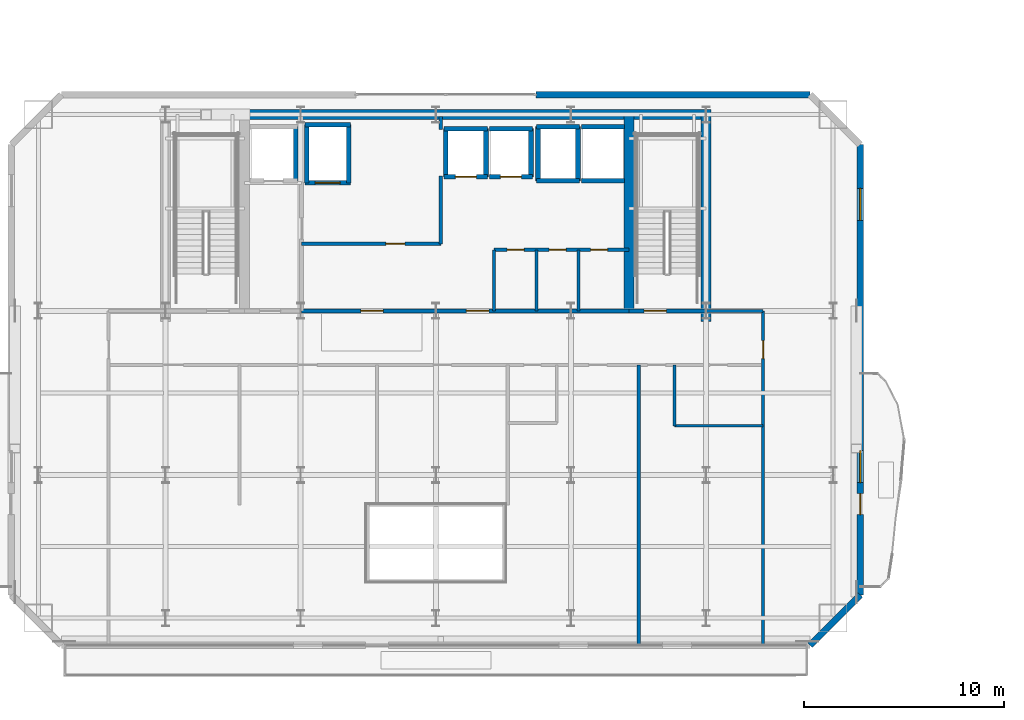
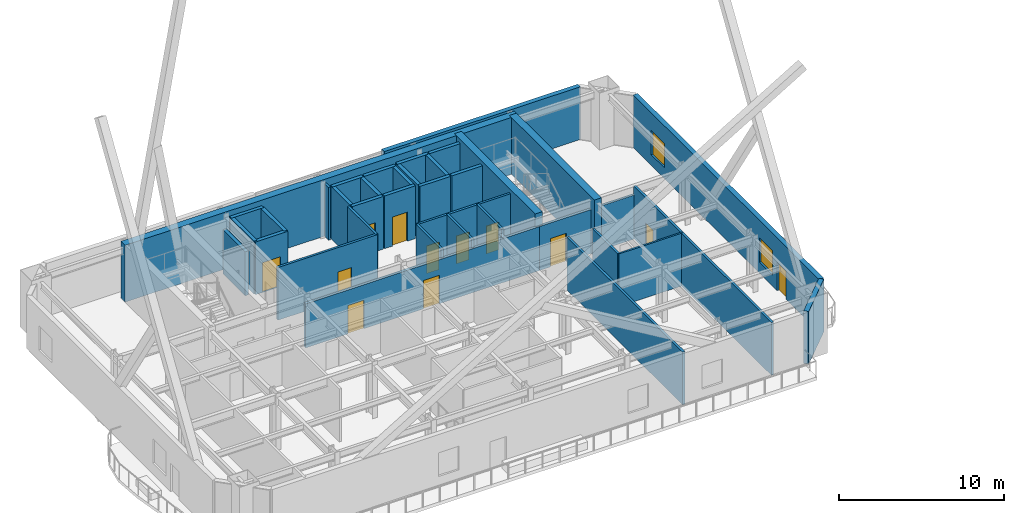
# One storey, part 13 of 22: 38 walls, 12 doors, 2 windows, 14 openings.
"""IFC4 building model written with IfcOpenShell, lengths in metres."""

from ifc_helpers import new_model, si_unit, direction, frame, frame_2d, origin, place, context, subcontext, project, spatial, rectangle, extrude, material, layer, layer_set, type_object, element, fill, save


model = new_model("IFC4")

# Units and contexts
model_context = context("Model", 3, precision=1e-05, world=origin(), true_north=direction((0.0, 1.0)))
body_context = subcontext(model_context, "Body", "Model", "MODEL_VIEW")
ifc_project = project(units=[si_unit("LENGTHUNIT", "METRE"), si_unit("AREAUNIT", "SQUARE_METRE"), si_unit("VOLUMEUNIT", "CUBIC_METRE"), si_unit("PLANEANGLEUNIT", "RADIAN"), si_unit("MASSUNIT", "GRAM", prefix="KILO")], contexts=[model_context])

# Site, building, storey
site_placement = place(None, origin())
site = spatial("IfcSite", under=ifc_project, at=site_placement, CompositionType="ELEMENT")
building_placement = place(site_placement, origin())
building = spatial("IfcBuilding", under=site, at=building_placement, Name="Haevon Station Towers", CompositionType="ELEMENT")
storey_placement = place(building_placement, frame((0.0, 0.0, 133.800048828125)))
storey = spatial("IfcBuildingStorey", under=building, at=storey_placement, Name="L36", CompositionType="ELEMENT", Elevation=133.800048828125)

# Wall, opening, door
ifc_material_1 = material(Name="Gypsum board on steel stud", Category="steel")
ifc_layer_1 = layer(ifc_material_1, 0.199951171875)
ifc_layer_set_1 = layer_set([ifc_layer_1], Name="Gypsum board on steel stud")
wall_type_1 = type_object("IfcWallType", Name="WL-COR200", PredefinedType="PARTITIONING", material=ifc_layer_set_1)
wall_1_placement = place(storey_placement, frame((47.14990234375, 38.199951171875, 0.0), z_axis=(0.0, 0.0, 1.0), x_axis=(1.0, 0.0, 0.0)))
wall_1 = element("IfcWall", 1, at=wall_1_placement, inside=storey, type_object=wall_type_1, Name="WL-ST-ST2-L36", PredefinedType="PARTITIONING", context=body_context, shape_type="SweptSolid", body=[
    extrude(rectangle(XDim=3.85009765625, YDim=0.199951171875, at=frame_2d((1.925048828125, 0.0))), origin(), (0.0, 0.0, 1.0), 3.25),
])
opening_1_placement = place(wall_1_placement, frame((0.75, 0.0, 0.0)))
opening_1 = element("IfcOpeningElement", 2, at=opening_1_placement, cuts=wall_1, Name="Opening DR-ST-ST2-L36", PredefinedType="OPENING", context=body_context, shape_type="SweptSolid", body=[
    extrude(rectangle(XDim=1.1201171875, YDim=2.10009765625, at=frame_2d((0.56005859375, 1.050048828125))), frame((0.0, 0.10986328125, 0.0), z_axis=(0.0, -1.0, 0.0), x_axis=(1.0, 0.0, 0.0)), (0.0, 0.0, 1.0), 0.219970703125),
])
ifc_material_2 = material(Name="Engineered oak timber", Category="wood")
door_type_1 = type_object("IfcDoorType", Name="DR-ST-1120", OperationType="NOTDEFINED", PredefinedType="DOOR", material=ifc_material_2)
door_1_placement = place(opening_1_placement, origin())
door_1 = element("IfcDoor", 3, at=door_1_placement, inside=storey, type_object=door_type_1, Name="L36 Escape Stair ST2 Fire Door", OperationType="SINGLE_SWING_RIGHT", OverallHeight=2.10009765625, OverallWidth=1.1201171875, PredefinedType="DOOR", context=body_context, shape_type="SweptSolid", body=[
    extrude(rectangle(XDim=1.1201171875, YDim=2.10009765625, at=frame_2d((0.56005859375, 1.050048828125))), frame((0.0, 0.02490234375, 0.0), z_axis=(0.0, -1.0, 0.0), x_axis=(1.0, 0.0, 0.0)), (0.0, 0.0, 1.0), 0.050048828125),
])
fill(opening_1, door_1)

# Wall, openings, doors
wall_2_placement = place(storey_placement, frame((30.800048828125, 38.199951171875, 0.0), z_axis=(0.0, 0.0, 1.0), x_axis=(1.0, 0.0, 0.0)))
wall_2 = element("IfcWall", 4, at=wall_2_placement, inside=storey, type_object=wall_type_1, Name="WL-T1CLB-L36", PredefinedType="PARTITIONING", context=body_context, shape_type="SweptSolid", body=[
    extrude(rectangle(XDim=16.349853515625, YDim=0.199951171875, at=frame_2d((8.1748046875, 0.0))), origin(), (0.0, 0.0, 1.0), 3.25),
])
opening_2_placement = place(wall_2_placement, frame((2.949951171875, 0.0, 0.0)))
opening_2 = element("IfcOpeningElement", 5, at=opening_2_placement, cuts=wall_2, Name="Opening DR-T1CLB-L36-1", PredefinedType="OPENING", context=body_context, shape_type="SweptSolid", body=[
    extrude(rectangle(XDim=1.1201171875, YDim=2.10009765625, at=frame_2d((0.56005859375, 1.050048828125))), frame((0.0, 0.10986328125, 0.0), z_axis=(0.0, -1.0, 0.0), x_axis=(1.0, 0.0, 0.0)), (0.0, 0.0, 1.0), 0.219970703125),
])
opening_3_placement = place(wall_2_placement, frame((8.22998046875, 0.0, 0.0)))
opening_3 = element("IfcOpeningElement", 6, at=opening_3_placement, cuts=wall_2, Name="Opening DR-T1CLB-L36-2", PredefinedType="OPENING", context=body_context, shape_type="SweptSolid", body=[
    extrude(rectangle(XDim=1.1201171875, YDim=2.10009765625, at=frame_2d((0.56005859375, 1.050048828125))), frame((0.0, 0.10986328125, 0.0), z_axis=(0.0, -1.0, 0.0), x_axis=(1.0, 0.0, 0.0)), (0.0, 0.0, 1.0), 0.219970703125),
])
door_2_placement = place(opening_2_placement, origin())
door_2 = element("IfcDoor", 7, at=door_2_placement, inside=storey, type_object=door_type_1, Name="L36 Tower 1 Core Lift Lobby Door 1", OperationType="SINGLE_SWING_LEFT", OverallHeight=2.10009765625, OverallWidth=1.1201171875, PredefinedType="DOOR", context=body_context, shape_type="SweptSolid", body=[
    extrude(rectangle(XDim=1.1201171875, YDim=2.10009765625, at=frame_2d((0.56005859375, 1.050048828125))), frame((0.0, 0.02490234375, 0.0), z_axis=(0.0, -1.0, 0.0), x_axis=(1.0, 0.0, 0.0)), (0.0, 0.0, 1.0), 0.050048828125),
])
fill(opening_2, door_2)
door_3_placement = place(opening_3_placement, origin())
door_3 = element("IfcDoor", 8, at=door_3_placement, inside=storey, type_object=door_type_1, Name="L36 Tower 1 Core Lift Lobby Door 2", OperationType="SINGLE_SWING_RIGHT", OverallHeight=2.10009765625, OverallWidth=1.1201171875, PredefinedType="DOOR", context=body_context, shape_type="SweptSolid", body=[
    extrude(rectangle(XDim=1.1201171875, YDim=2.10009765625, at=frame_2d((0.56005859375, 1.050048828125))), frame((0.0, 0.02490234375, 0.0), z_axis=(0.0, -1.0, 0.0), x_axis=(1.0, 0.0, 0.0)), (0.0, 0.0, 1.0), 0.050048828125),
])
fill(opening_3, door_3)

# Walls
ifc_material_3 = material(Name="Concrete C60/75", Category="concrete")
ifc_layer_2 = layer(ifc_material_3, 0.5)
ifc_layer_set_2 = layer_set([ifc_layer_2], Name="Concrete C60/75")
wall_type_2 = type_object("IfcWallType", Name="WL-CR500", PredefinedType="SHEAR", material=ifc_layer_set_2)
wall_3_placement = place(storey_placement, frame((23.75, 48.0, 0.0), z_axis=(0.0, 0.0, 1.0), x_axis=(1.0, 0.0, 0.0)))
element("IfcWall", 9, at=wall_3_placement, inside=storey, type_object=wall_type_2, Name="WL-T1CR-L36-N", PredefinedType="SHEAR", context=body_context, shape_type="SweptSolid", body=[
    extrude(rectangle(XDim=27.5, YDim=0.5, at=frame_2d((13.75, 0.0))), origin(), (0.0, 0.0, 1.0), 4.199951171875),
])
wall_4_placement = place(storey_placement, frame((51.0, 37.679931640625, 0.0), z_axis=(0.0, 0.0, 1.0), x_axis=(0.0, 1.0, 0.0)))
element("IfcWall", 10, at=wall_4_placement, inside=storey, type_object=wall_type_2, Name="WL-T1CR-L36-E", PredefinedType="SHEAR", context=body_context, shape_type="SweptSolid", body=[
    extrude(rectangle(XDim=10.320068359375, YDim=0.5, at=frame_2d((5.16015625, 0.0))), origin(), (0.0, 0.0, 1.0), 4.199951171875),
])
wall_5_placement = place(storey_placement, frame((47.14990234375, 38.199951171875, 0.0), z_axis=(0.0, 0.0, 1.0), x_axis=(0.0, 1.0, 0.0)))
element("IfcWall", 11, at=wall_5_placement, inside=storey, type_object=wall_type_2, Name="WL-T1CR-L36-M2", PredefinedType="SHEAR", context=body_context, shape_type="SweptSolid", body=[
    extrude(rectangle(XDim=9.800048828125, YDim=0.5, at=frame_2d((4.89990234375, 0.0))), origin(), (0.0, 0.0, 1.0), 4.199951171875),
])
ifc_material_4 = material(Name="Precast concrete C45/55", Category="concrete")
ifc_layer_3 = layer(ifc_material_4, 0.320068359375)
ifc_layer_set_3 = layer_set([ifc_layer_3], Name="Precast concrete C45/55")
wall_type_3 = type_object("IfcWallType", Name="WL-EXT-PIER320", PredefinedType="SOLIDWALL", material=ifc_layer_set_3)
wall_6_placement = place(storey_placement, frame((42.5, 49.0, 0.0), z_axis=(0.0, 0.0, 1.0), x_axis=(1.0, 0.0, 0.0)))
element("IfcWall", 12, at=wall_6_placement, inside=storey, type_object=wall_type_3, Name="WL-T1-L36-N2", PredefinedType="SOLIDWALL", context=body_context, shape_type="SweptSolid", body=[
    extrude(rectangle(XDim=13.699951171875, YDim=0.320068359375, at=frame_2d((6.85009765625, 0.0))), origin(), (0.0, 0.0, 1.0), 3.89990234375),
])

# Wall, openings, door, windows
wall_7_placement = place(storey_placement, frame((58.699951171875, 46.5, 0.0), z_axis=(0.0, 0.0, 1.0), x_axis=(0.0, -1.0, 0.0)))
wall_7 = element("IfcWall", 13, at=wall_7_placement, inside=storey, type_object=wall_type_3, Name="WL-T1-L36-E", PredefinedType="SOLIDWALL", context=body_context, shape_type="SweptSolid", body=[
    extrude(rectangle(XDim=22.5, YDim=0.320068359375, at=frame_2d((11.25, 0.0))), origin(), (0.0, 0.0, 1.0), 3.89990234375),
])
opening_4_placement = place(wall_7_placement, frame((17.425048828125, 0.0, 0.0)))
opening_4 = element("IfcOpeningElement", 14, at=opening_4_placement, cuts=wall_7, Name="Opening DR-T1-SCAL-L36-E", PredefinedType="OPENING", context=body_context, shape_type="SweptSolid", body=[
    extrude(rectangle(XDim=1.050048828125, YDim=2.10009765625, at=frame_2d((0.52490234375, 1.050048828125))), frame((0.0, 0.169921875, 0.0), z_axis=(0.0, -1.0, 0.0), x_axis=(1.0, 0.0, 0.0)), (0.0, 0.0, 1.0), 0.340087890625),
])
opening_5_placement = place(wall_7_placement, frame((2.1787109375, 0.0, 0.800048828125)))
opening_5 = element("IfcOpeningElement", 15, at=opening_5_placement, cuts=wall_7, Name="Opening WN-END160", PredefinedType="OPENING", context=body_context, shape_type="SweptSolid", body=[
    extrude(rectangle(XDim=1.60009765625, YDim=1.800048828125, at=frame_2d((0.800048828125, 0.89990234375))), frame((0.0, 0.169921875, 0.0), z_axis=(0.0, -1.0, 0.0), x_axis=(1.0, 0.0, 0.0)), (0.0, 0.0, 1.0), 0.340087890625),
])
opening_6_placement = place(wall_7_placement, frame((15.27490234375, 0.0, 0.800048828125)))
opening_6 = element("IfcOpeningElement", 16, at=opening_6_placement, cuts=wall_7, Name="Opening WN-END160", PredefinedType="OPENING", context=body_context, shape_type="SweptSolid", body=[
    extrude(rectangle(XDim=1.60009765625, YDim=1.800048828125, at=frame_2d((0.800048828125, 0.89990234375))), frame((0.0, 0.169921875, 0.0), z_axis=(0.0, -1.0, 0.0), x_axis=(1.0, 0.0, 0.0)), (0.0, 0.0, 1.0), 0.340087890625),
])
ifc_material_5 = material(Name="Thermally broken anodised aluminium and laminated safety glass", Category="aluminium")
door_type_2 = type_object("IfcDoorType", Name="DR-BALC-1050", OperationType="NOTDEFINED", PredefinedType="DOOR", material=ifc_material_5)
door_4_placement = place(opening_4_placement, origin())
door_4 = element("IfcDoor", 17, at=door_4_placement, inside=storey, type_object=door_type_2, Name="Tower 1 L36 East Scalloped Balcony Door", OperationType="SINGLE_SWING_RIGHT", OverallHeight=2.10009765625, OverallWidth=1.050048828125, PredefinedType="DOOR", context=body_context, shape_type="SweptSolid", body=[
    extrude(rectangle(XDim=1.050048828125, YDim=2.10009765625, at=frame_2d((0.52490234375, 1.050048828125))), frame((0.0, 0.02490234375, 0.0), z_axis=(0.0, -1.0, 0.0), x_axis=(1.0, 0.0, 0.0)), (0.0, 0.0, 1.0), 0.050048828125),
])
fill(opening_4, door_4)
ifc_material_6 = material(Name="Low-E triple glazing in thermally broken aluminium", Category="aluminium")
window_type = type_object("IfcWindowType", Name="WN-END160", PartitioningType="SINGLE_PANEL", PredefinedType="WINDOW", material=ifc_material_6)
window_1_placement = place(opening_5_placement, origin())
window_1 = element("IfcWindow", 18, at=window_1_placement, inside=storey, type_object=window_type, Name="WN-T1-L36-E01", OverallHeight=1.800048828125, OverallWidth=1.60009765625, PartitioningType="SINGLE_PANEL", PredefinedType="WINDOW", context=body_context, shape_type="SweptSolid", body=[
    extrude(rectangle(XDim=1.60009765625, YDim=1.800048828125, at=frame_2d((0.800048828125, 0.89990234375))), frame((0.0, 0.030029296875, 0.0), z_axis=(0.0, -1.0, 0.0), x_axis=(1.0, 0.0, 0.0)), (0.0, 0.0, 1.0), 0.06005859375),
])
fill(opening_5, window_1)
window_2_placement = place(opening_6_placement, origin())
window_2 = element("IfcWindow", 19, at=window_2_placement, inside=storey, type_object=window_type, Name="WN-T1-L36-E02", OverallHeight=1.800048828125, OverallWidth=1.60009765625, PartitioningType="SINGLE_PANEL", PredefinedType="WINDOW", context=body_context, shape_type="SweptSolid", body=[
    extrude(rectangle(XDim=1.60009765625, YDim=1.800048828125, at=frame_2d((0.800048828125, 0.89990234375))), frame((0.0, 0.030029296875, 0.0), z_axis=(0.0, -1.0, 0.0), x_axis=(1.0, 0.0, 0.0)), (0.0, 0.0, 1.0), 0.06005859375),
])
fill(opening_6, window_2)

# Walls
wall_8_placement = place(storey_placement, frame((58.699951171875, 24.0, 0.0), z_axis=(0.0, 0.0, 1.0), x_axis=(-0.707106781187, -0.707106781187, 0.0)))
element("IfcWall", 20, at=wall_8_placement, inside=storey, type_object=wall_type_3, Name="WL-T1-L36-SEC", PredefinedType="SOLIDWALL", context=body_context, shape_type="SweptSolid", body=[
    extrude(rectangle(XDim=3.53564453125, YDim=0.320068359375, at=frame_2d((1.767822265625, 0.0))), origin(), (0.0, 0.0, 1.0), 3.89990234375),
])
ifc_layer_4 = layer(ifc_material_1, 0.125)
ifc_layer_set_4 = layer_set([ifc_layer_4], Name="Gypsum board on steel stud")
wall_type_4 = type_object("IfcWallType", Name="WL-PRT125", PredefinedType="PARTITIONING", material=ifc_layer_set_4)
wall_9_placement = place(storey_placement, frame((49.4169921875, 32.449951171875, 0.0), z_axis=(0.0, 0.0, 1.0), x_axis=(1.0, 0.0, 0.0)))
element("IfcWall", 21, at=wall_9_placement, inside=storey, type_object=wall_type_4, Name="WL-T1PT-L36-17", PredefinedType="PARTITIONING", context=body_context, shape_type="SweptSolid", body=[
    extrude(rectangle(XDim=4.43310546875, YDim=0.125, at=frame_2d((2.216552734375, 0.0))), origin(), (0.0, 0.0, 1.0), 3.89990234375),
])
ifc_layer_5 = layer(ifc_material_1, 0.139892578125)
ifc_layer_set_5 = layer_set([ifc_layer_5], Name="Gypsum board on steel stud")
wall_type_5 = type_object("IfcWallType", Name="WL-PRT140", PredefinedType="PARTITIONING", material=ifc_layer_set_5)
wall_10_placement = place(storey_placement, frame((49.4169921875, 32.449951171875, 0.0), z_axis=(0.0, 0.0, 1.0), x_axis=(0.0, 1.0, 0.0)))
element("IfcWall", 22, at=wall_10_placement, inside=storey, type_object=wall_type_5, Name="WL-T1PT-L36-18", PredefinedType="PARTITIONING", context=body_context, shape_type="SweptSolid", body=[
    extrude(rectangle(XDim=3.050048828125, YDim=0.139892578125, at=frame_2d((1.52490234375, 0.0))), origin(), (0.0, 0.0, 1.0), 3.89990234375),
])

# Wall, opening, door
ifc_layer_6 = layer(ifc_material_1, 0.159912109375)
ifc_layer_set_6 = layer_set([ifc_layer_6], Name="Gypsum board on steel stud")
wall_type_6 = type_object("IfcWallType", Name="WL-PRT160", PredefinedType="PARTITIONING", material=ifc_layer_set_6)
wall_11_placement = place(storey_placement, frame((30.800048828125, 41.550048828125, 0.0), z_axis=(0.0, 0.0, 1.0), x_axis=(1.0, 0.0, 0.0)))
wall_11 = element("IfcWall", 23, at=wall_11_placement, inside=storey, type_object=wall_type_6, Name="WL-T1CW-L36-01", PredefinedType="PARTITIONING", context=body_context, shape_type="SweptSolid", body=[
    extrude(rectangle(XDim=6.949951171875, YDim=0.159912109375, at=frame_2d((3.47509765625, 0.0))), origin(), (0.0, 0.0, 1.0), 3.89990234375),
])
opening_7_placement = place(wall_11_placement, frame((4.199951171875, 0.0, 0.0)))
opening_7 = element("IfcOpeningElement", 24, at=opening_7_placement, cuts=wall_11, Name="Opening DR-WL-T1CW-L36-01-1", PredefinedType="OPENING", context=body_context, shape_type="SweptSolid", body=[
    extrude(rectangle(XDim=0.949951171875, YDim=2.10009765625, at=frame_2d((0.47509765625, 1.050048828125))), frame((0.0, 0.08984375, 0.0), z_axis=(0.0, -1.0, 0.0), x_axis=(1.0, 0.0, 0.0)), (0.0, 0.0, 1.0), 0.179931640625),
])
door_type_3 = type_object("IfcDoorType", Name="DR-FD60-950", OperationType="NOTDEFINED", PredefinedType="DOOR", material=ifc_material_2)
door_5_placement = place(opening_7_placement, origin())
door_5 = element("IfcDoor", 25, at=door_5_placement, inside=storey, type_object=door_type_3, Name="L36 Tower 1 Core Room Door 1-1", OperationType="SINGLE_SWING_RIGHT", OverallHeight=2.10009765625, OverallWidth=0.949951171875, PredefinedType="DOOR", context=body_context, shape_type="SweptSolid", body=[
    extrude(rectangle(XDim=0.949951171875, YDim=2.10009765625, at=frame_2d((0.47509765625, 1.050048828125))), frame((0.0, 0.02490234375, 0.0), z_axis=(0.0, -1.0, 0.0), x_axis=(1.0, 0.0, 0.0)), (0.0, 0.0, 1.0), 0.050048828125),
])
fill(opening_7, door_5)

# Walls
wall_12_placement = place(storey_placement, frame((37.75, 41.550048828125, 0.0), z_axis=(0.0, 0.0, 1.0), x_axis=(0.0, 1.0, 0.0)))
element("IfcWall", 26, at=wall_12_placement, inside=storey, type_object=wall_type_6, Name="WL-T1CW-L36-02", PredefinedType="PARTITIONING", context=body_context, shape_type="SweptSolid", body=[
    extrude(rectangle(XDim=3.39990234375, YDim=0.159912109375, at=frame_2d((1.699951171875, 0.0))), origin(), (0.0, 0.0, 1.0), 3.89990234375),
])
wall_13_placement = place(storey_placement, frame((37.75, 47.25, 0.0), z_axis=(0.0, 0.0, 1.0), x_axis=(0.0, 1.0, 0.0)))
element("IfcWall", 27, at=wall_13_placement, inside=storey, type_object=wall_type_6, Name="WL-T1CW-L36-03", PredefinedType="PARTITIONING", context=body_context, shape_type="SweptSolid", body=[
    extrude(rectangle(XDim=0.64990234375, YDim=0.159912109375, at=frame_2d((0.324951171875, 0.0))), origin(), (0.0, 0.0, 1.0), 3.89990234375),
])
for number, where, z_axis, x_axis, name in (
    (28, (40.39990234375, 38.199951171875, 0.0), (0.0, 0.0, 1.0), (0.0, 1.0, 0.0), "WL-T1CW-L36-04"),
    (29, (42.530029296875, 38.199951171875, 0.0), (0.0, 0.0, 1.0), (0.0, 1.0, 0.0), "WL-T1CW-L36-05"),
    (30, (44.6298828125, 38.199951171875, 0.0), (0.0, 0.0, 1.0), (0.0, 1.0, 0.0), "WL-T1CW-L36-06"),
):
    element("IfcWall", number, at=place(storey_placement, frame(where, z_axis=z_axis, x_axis=x_axis)), inside=storey, type_object=wall_type_6, Name=name, PredefinedType="PARTITIONING", context=body_context, shape_type="SweptSolid", body=[
        extrude(rectangle(XDim=3.050048828125, YDim=0.159912109375, at=frame_2d((1.52490234375, 0.0))), origin(), (0.0, 0.0, 1.0), 3.89990234375),
    ])

# Wall, openings, doors
wall_14_placement = place(storey_placement, frame((40.39990234375, 41.25, 0.0), z_axis=(0.0, 0.0, 1.0), x_axis=(1.0, 0.0, 0.0)))
wall_14 = element("IfcWall", 31, at=wall_14_placement, inside=storey, type_object=wall_type_6, Name="WL-T1CW-L36-07", PredefinedType="PARTITIONING", context=body_context, shape_type="SweptSolid", body=[
    extrude(rectangle(XDim=6.75, YDim=0.159912109375, at=frame_2d((3.375, 0.0))), origin(), (0.0, 0.0, 1.0), 3.89990234375),
])
opening_8_placement = place(wall_14_placement, frame((0.659912109375, 0.0, 0.0)))
opening_8 = element("IfcOpeningElement", 32, at=opening_8_placement, cuts=wall_14, Name="Opening DR-WL-T1CW-L36-07-1", PredefinedType="OPENING", context=body_context, shape_type="SweptSolid", body=[
    extrude(rectangle(XDim=0.85009765625, YDim=2.050048828125, at=frame_2d((0.425048828125, 1.02490234375))), frame((0.0, 0.08984375, 0.0), z_axis=(0.0, -1.0, 0.0), x_axis=(1.0, 0.0, 0.0)), (0.0, 0.0, 1.0), 0.179931640625),
])
opening_9_placement = place(wall_14_placement, frame((2.7548828125, 0.0, 0.0)))
opening_9 = element("IfcOpeningElement", 33, at=opening_9_placement, cuts=wall_14, Name="Opening DR-WL-T1CW-L36-07-2", PredefinedType="OPENING", context=body_context, shape_type="SweptSolid", body=[
    extrude(rectangle(XDim=0.85009765625, YDim=2.050048828125, at=frame_2d((0.425048828125, 1.02490234375))), frame((0.0, 0.08984375, 0.0), z_axis=(0.0, -1.0, 0.0), x_axis=(1.0, 0.0, 0.0)), (0.0, 0.0, 1.0), 0.179931640625),
])
opening_10_placement = place(wall_14_placement, frame((4.830078125, 0.0, 0.0)))
opening_10 = element("IfcOpeningElement", 34, at=opening_10_placement, cuts=wall_14, Name="Opening DR-WL-T1CW-L36-07-3", PredefinedType="OPENING", context=body_context, shape_type="SweptSolid", body=[
    extrude(rectangle(XDim=0.85009765625, YDim=2.050048828125, at=frame_2d((0.425048828125, 1.02490234375))), frame((0.0, 0.08984375, 0.0), z_axis=(0.0, -1.0, 0.0), x_axis=(1.0, 0.0, 0.0)), (0.0, 0.0, 1.0), 0.179931640625),
])
door_type_4 = type_object("IfcDoorType", Name="DR-FD30-850", OperationType="NOTDEFINED", PredefinedType="DOOR", material=ifc_material_2)
door_6_placement = place(opening_8_placement, origin())
door_6 = element("IfcDoor", 35, at=door_6_placement, inside=storey, type_object=door_type_4, Name="L36 Tower 1 Core Room Door 7-1", OperationType="SINGLE_SWING_LEFT", OverallHeight=2.050048828125, OverallWidth=0.85009765625, PredefinedType="DOOR", context=body_context, shape_type="SweptSolid", body=[
    extrude(rectangle(XDim=0.85009765625, YDim=2.050048828125, at=frame_2d((0.425048828125, 1.02490234375))), frame((0.0, 0.02490234375, 0.0), z_axis=(0.0, -1.0, 0.0), x_axis=(1.0, 0.0, 0.0)), (0.0, 0.0, 1.0), 0.050048828125),
])
fill(opening_8, door_6)
door_7_placement = place(opening_9_placement, origin())
door_7 = element("IfcDoor", 36, at=door_7_placement, inside=storey, type_object=door_type_4, Name="L36 Tower 1 Core Room Door 7-2", OperationType="SINGLE_SWING_RIGHT", OverallHeight=2.050048828125, OverallWidth=0.85009765625, PredefinedType="DOOR", context=body_context, shape_type="SweptSolid", body=[
    extrude(rectangle(XDim=0.85009765625, YDim=2.050048828125, at=frame_2d((0.425048828125, 1.02490234375))), frame((0.0, 0.02490234375, 0.0), z_axis=(0.0, -1.0, 0.0), x_axis=(1.0, 0.0, 0.0)), (0.0, 0.0, 1.0), 0.050048828125),
])
fill(opening_9, door_7)
door_8_placement = place(opening_10_placement, origin())
door_8 = element("IfcDoor", 37, at=door_8_placement, inside=storey, type_object=door_type_4, Name="L36 Tower 1 Core Room Door 7-3", OperationType="SINGLE_SWING_LEFT", OverallHeight=2.050048828125, OverallWidth=0.85009765625, PredefinedType="DOOR", context=body_context, shape_type="SweptSolid", body=[
    extrude(rectangle(XDim=0.85009765625, YDim=2.050048828125, at=frame_2d((0.425048828125, 1.02490234375))), frame((0.0, 0.02490234375, 0.0), z_axis=(0.0, -1.0, 0.0), x_axis=(1.0, 0.0, 0.0)), (0.0, 0.0, 1.0), 0.050048828125),
])
fill(opening_10, door_8)

# Wall
wall_15_placement = place(storey_placement, frame((51.0, 38.199951171875, 0.0), z_axis=(0.0, 0.0, 1.0), x_axis=(1.0, 0.0, 0.0)))
element("IfcWall", 38, at=wall_15_placement, inside=storey, type_object=wall_type_6, Name="WL-T1PT-L36-02", PredefinedType="PARTITIONING", context=body_context, shape_type="SweptSolid", body=[
    extrude(rectangle(XDim=2.85009765625, YDim=0.159912109375, at=frame_2d((1.425048828125, 0.0))), origin(), (0.0, 0.0, 1.0), 3.25),
])

# Wall, opening, door
wall_16_placement = place(storey_placement, frame((53.85009765625, 21.5, 0.0), z_axis=(0.0, 0.0, 1.0), x_axis=(0.0, 1.0, 0.0)))
wall_16 = element("IfcWall", 39, at=wall_16_placement, inside=storey, type_object=wall_type_6, Name="WL-T1PT-L36-04", PredefinedType="PARTITIONING", context=body_context, shape_type="SweptSolid", body=[
    extrude(rectangle(XDim=16.699951171875, YDim=0.159912109375, at=frame_2d((8.35009765625, 0.0))), origin(), (0.0, 0.0, 1.0), 3.89990234375),
])
opening_11_placement = place(wall_16_placement, frame((14.320068359375, 0.0, 0.0)))
opening_11 = element("IfcOpeningElement", 40, at=opening_11_placement, cuts=wall_16, Name="Opening DR-WL-T1PT-L36-04-01", PredefinedType="OPENING", context=body_context, shape_type="SweptSolid", body=[
    extrude(rectangle(XDim=0.89990234375, YDim=2.050048828125, at=frame_2d((0.449951171875, 1.02490234375))), frame((0.0, 0.08984375, 0.0), z_axis=(0.0, -1.0, 0.0), x_axis=(1.0, 0.0, 0.0)), (0.0, 0.0, 1.0), 0.179931640625),
])
door_type_5 = type_object("IfcDoorType", Name="DR-INT-900", OperationType="NOTDEFINED", PredefinedType="DOOR", material=ifc_material_2)
door_9_placement = place(opening_11_placement, origin())
door_9 = element("IfcDoor", 41, at=door_9_placement, inside=storey, type_object=door_type_5, Name="L36 Tower 1 Room Door 4-1", OperationType="SINGLE_SWING_LEFT", OverallHeight=2.050048828125, OverallWidth=0.89990234375, PredefinedType="DOOR", context=body_context, shape_type="SweptSolid", body=[
    extrude(rectangle(XDim=0.89990234375, YDim=2.050048828125, at=frame_2d((0.449951171875, 1.02490234375))), frame((0.0, 0.02490234375, 0.0), z_axis=(0.0, -1.0, 0.0), x_axis=(1.0, 0.0, 0.0)), (0.0, 0.0, 1.0), 0.050048828125),
])
fill(opening_11, door_9)

# Walls
wall_17_placement = place(storey_placement, frame((47.636962890625, 21.5, 0.0), z_axis=(0.0, 0.0, 1.0), x_axis=(0.0, 1.0, 0.0)))
element("IfcWall", 42, at=wall_17_placement, inside=storey, type_object=wall_type_6, Name="WL-T1PT-L36-16", PredefinedType="PARTITIONING", context=body_context, shape_type="SweptSolid", body=[
    extrude(rectangle(XDim=14.0, YDim=0.159912109375, at=frame_2d((7.0, 0.0))), origin(), (0.0, 0.0, 1.0), 3.89990234375),
])
ifc_material_7 = material(Name="Concrete C40/50", Category="concrete")
ifc_layer_7 = layer(ifc_material_7, 0.239990234375)
ifc_layer_set_7 = layer_set([ifc_layer_7], Name="Concrete C40/50")
wall_type_7 = type_object("IfcWallType", Name="WL-SHF240", PredefinedType="PARTITIONING", material=ifc_layer_set_7)
wall_18_placement = place(storey_placement, frame((30.5, 44.699951171875, 0.0), z_axis=(0.0, 0.0, 1.0), x_axis=(0.0, 1.0, 0.0)))
element("IfcWall", 43, at=wall_18_placement, inside=storey, type_object=wall_type_7, Name="WL-SHF-FL1-L36-E", PredefinedType="PARTITIONING", context=body_context, shape_type="SweptSolid", body=[
    extrude(rectangle(XDim=2.699951171875, YDim=0.239990234375, at=frame_2d((1.35009765625, 0.0))), origin(), (0.0, 0.0, 1.0), 3.25),
])

# Wall, opening, door
wall_19_placement = place(storey_placement, frame((30.969970703125, 44.60009765625, 0.0), z_axis=(0.0, 0.0, 1.0), x_axis=(1.0, 0.0, 0.0)))
wall_19 = element("IfcWall", 44, at=wall_19_placement, inside=storey, type_object=wall_type_7, Name="WL-SHF-SL1-L36", PredefinedType="PARTITIONING", context=body_context, shape_type="SweptSolid", body=[
    extrude(rectangle(XDim=2.260009765625, YDim=0.239990234375, at=frame_2d((1.1298828125, 0.0))), origin(), (0.0, 0.0, 1.0), 3.89990234375),
])
opening_12_placement = place(wall_19_placement, frame((0.5048828125, 0.0, 0.0)))
opening_12 = element("IfcOpeningElement", 45, at=opening_12_placement, cuts=wall_19, Name="Opening LD-SL1-L36", PredefinedType="OPENING", context=body_context, shape_type="SweptSolid", body=[
    extrude(rectangle(XDim=1.25, YDim=2.199951171875, at=frame_2d((0.625, 1.10009765625))), frame((0.0, 0.1298828125, 0.0), z_axis=(0.0, -1.0, 0.0), x_axis=(1.0, 0.0, 0.0)), (0.0, 0.0, 1.0), 0.260009765625),
])
ifc_material_8 = material(Name="Stainless steel and rated core", Category="steel")
door_type_6 = type_object("IfcDoorType", Name="LD-SL1250", OperationType="SLIDING_TO_LEFT", PredefinedType="DOOR", material=ifc_material_8)
door_10_placement = place(opening_12_placement, origin())
door_10 = element("IfcDoor", 46, at=door_10_placement, inside=storey, type_object=door_type_6, Name="L36 Lift SL1 Sliding Landing Door", OperationType="SLIDING_TO_LEFT", OverallHeight=2.199951171875, OverallWidth=1.25, PredefinedType="DOOR", context=body_context, shape_type="SweptSolid", body=[
    extrude(rectangle(XDim=1.25, YDim=2.199951171875, at=frame_2d((0.625, 1.10009765625))), frame((0.0, 0.02490234375, 0.0), z_axis=(0.0, -1.0, 0.0), x_axis=(1.0, 0.0, 0.0)), (0.0, 0.0, 1.0), 0.050048828125),
])
fill(opening_12, door_10)

# Walls
wall_20_placement = place(storey_placement, frame((30.969970703125, 47.5, 0.0), z_axis=(0.0, 0.0, 1.0), x_axis=(1.0, 0.0, 0.0)))
element("IfcWall", 47, at=wall_20_placement, inside=storey, type_object=wall_type_7, Name="WL-SHF-SL1-L36-N", PredefinedType="PARTITIONING", context=body_context, shape_type="SweptSolid", body=[
    extrude(rectangle(XDim=2.260009765625, YDim=0.239990234375, at=frame_2d((1.1298828125, 0.0))), origin(), (0.0, 0.0, 1.0), 3.89990234375),
])
for number, where, z_axis, x_axis, name in (
    (48, (31.050048828125, 44.60009765625, 0.0), (0.0, 0.0, 1.0), (0.0, 1.0, 0.0), "WL-SHF-SL1-L36-W"),
    (49, (33.14990234375, 44.60009765625, 0.0), (0.0, 0.0, 1.0), (0.0, 1.0, 0.0), "WL-SHF-SL1-L36-E"),
):
    element("IfcWall", number, at=place(storey_placement, frame(where, z_axis=z_axis, x_axis=x_axis)), inside=storey, type_object=wall_type_7, Name=name, PredefinedType="PARTITIONING", context=body_context, shape_type="SweptSolid", body=[
        extrude(rectangle(XDim=2.89990234375, YDim=0.239990234375, at=frame_2d((1.449951171875, 0.0))), origin(), (0.0, 0.0, 1.0), 3.89990234375),
    ])

# Wall, opening, door
wall_21_placement = place(storey_placement, frame((37.919921875, 44.89990234375, 0.0), z_axis=(0.0, 0.0, 1.0), x_axis=(1.0, 0.0, 0.0)))
wall_21 = element("IfcWall", 50, at=wall_21_placement, inside=storey, type_object=wall_type_7, Name="WL-SHF-PL3-L36", PredefinedType="PARTITIONING", context=body_context, shape_type="SweptSolid", body=[
    extrude(rectangle(XDim=2.16015625, YDim=0.239990234375, at=frame_2d((1.080078125, 0.0))), origin(), (0.0, 0.0, 1.0), 3.89990234375),
])
opening_13_placement = place(wall_21_placement, frame((0.554931640625, 0.0, 0.0)))
opening_13 = element("IfcOpeningElement", 51, at=opening_13_placement, cuts=wall_21, Name="Opening LD-PL3-L36", PredefinedType="OPENING", context=body_context, shape_type="SweptSolid", body=[
    extrude(rectangle(XDim=1.050048828125, YDim=2.14990234375, at=frame_2d((0.52490234375, 1.074951171875))), frame((0.0, 0.1298828125, 0.0), z_axis=(0.0, -1.0, 0.0), x_axis=(1.0, 0.0, 0.0)), (0.0, 0.0, 1.0), 0.260009765625),
])
door_type_7 = type_object("IfcDoorType", Name="LD-PL1050", OperationType="SLIDING_TO_LEFT", PredefinedType="DOOR", material=ifc_material_8)
door_11_placement = place(opening_13_placement, origin())
door_11 = element("IfcDoor", 52, at=door_11_placement, inside=storey, type_object=door_type_7, Name="L36 Lift PL3 Sliding Landing Door", OperationType="SLIDING_TO_LEFT", OverallHeight=2.14990234375, OverallWidth=1.050048828125, PredefinedType="DOOR", context=body_context, shape_type="SweptSolid", body=[
    extrude(rectangle(XDim=1.050048828125, YDim=2.14990234375, at=frame_2d((0.52490234375, 1.074951171875))), frame((0.0, 0.02490234375, 0.0), z_axis=(0.0, -1.0, 0.0), x_axis=(1.0, 0.0, 0.0)), (0.0, 0.0, 1.0), 0.050048828125),
])
fill(opening_13, door_11)

# Walls
wall_22_placement = place(storey_placement, frame((37.919921875, 47.300048828125, 0.0), z_axis=(0.0, 0.0, 1.0), x_axis=(1.0, 0.0, 0.0)))
element("IfcWall", 53, at=wall_22_placement, inside=storey, type_object=wall_type_7, Name="WL-SHF-PL3-L36-N", PredefinedType="PARTITIONING", context=body_context, shape_type="SweptSolid", body=[
    extrude(rectangle(XDim=2.16015625, YDim=0.239990234375, at=frame_2d((1.080078125, 0.0))), origin(), (0.0, 0.0, 1.0), 3.89990234375),
])
for number, where, z_axis, x_axis, name in (
    (54, (38.0, 44.89990234375, 0.0), (0.0, 0.0, 1.0), (0.0, 1.0, 0.0), "WL-SHF-PL3-L36-W"),
    (55, (40.0, 44.89990234375, 0.0), (0.0, 0.0, 1.0), (0.0, 1.0, 0.0), "WL-SHF-PL3-L36-E"),
):
    element("IfcWall", number, at=place(storey_placement, frame(where, z_axis=z_axis, x_axis=x_axis)), inside=storey, type_object=wall_type_7, Name=name, PredefinedType="PARTITIONING", context=body_context, shape_type="SweptSolid", body=[
        extrude(rectangle(XDim=2.400146484375, YDim=0.239990234375, at=frame_2d((1.2001953125, 0.0))), origin(), (0.0, 0.0, 1.0), 3.89990234375),
    ])

# Wall, opening, door
wall_23_placement = place(storey_placement, frame((40.169921875, 44.89990234375, 0.0), z_axis=(0.0, 0.0, 1.0), x_axis=(1.0, 0.0, 0.0)))
wall_23 = element("IfcWall", 56, at=wall_23_placement, inside=storey, type_object=wall_type_7, Name="WL-SHF-PL4-L36", PredefinedType="PARTITIONING", context=body_context, shape_type="SweptSolid", body=[
    extrude(rectangle(XDim=2.16015625, YDim=0.239990234375, at=frame_2d((1.080078125, 0.0))), origin(), (0.0, 0.0, 1.0), 3.89990234375),
])
opening_14_placement = place(wall_23_placement, frame((0.554931640625, 0.0, 0.0)))
opening_14 = element("IfcOpeningElement", 57, at=opening_14_placement, cuts=wall_23, Name="Opening LD-PL4-L36", PredefinedType="OPENING", context=body_context, shape_type="SweptSolid", body=[
    extrude(rectangle(XDim=1.050048828125, YDim=2.14990234375, at=frame_2d((0.52490234375, 1.074951171875))), frame((0.0, 0.1298828125, 0.0), z_axis=(0.0, -1.0, 0.0), x_axis=(1.0, 0.0, 0.0)), (0.0, 0.0, 1.0), 0.260009765625),
])
door_12_placement = place(opening_14_placement, origin())
door_12 = element("IfcDoor", 58, at=door_12_placement, inside=storey, type_object=door_type_7, Name="L36 Lift PL4 Sliding Landing Door", OperationType="SLIDING_TO_LEFT", OverallHeight=2.14990234375, OverallWidth=1.050048828125, PredefinedType="DOOR", context=body_context, shape_type="SweptSolid", body=[
    extrude(rectangle(XDim=1.050048828125, YDim=2.14990234375, at=frame_2d((0.52490234375, 1.074951171875))), frame((0.0, 0.02490234375, 0.0), z_axis=(0.0, -1.0, 0.0), x_axis=(1.0, 0.0, 0.0)), (0.0, 0.0, 1.0), 0.050048828125),
])
fill(opening_14, door_12)

# Walls
wall_24_placement = place(storey_placement, frame((40.169921875, 47.300048828125, 0.0), z_axis=(0.0, 0.0, 1.0), x_axis=(1.0, 0.0, 0.0)))
element("IfcWall", 59, at=wall_24_placement, inside=storey, type_object=wall_type_7, Name="WL-SHF-PL4-L36-N", PredefinedType="PARTITIONING", context=body_context, shape_type="SweptSolid", body=[
    extrude(rectangle(XDim=2.16015625, YDim=0.239990234375, at=frame_2d((1.080078125, 0.0))), origin(), (0.0, 0.0, 1.0), 3.89990234375),
])
wall_25_placement = place(storey_placement, frame((42.25, 44.89990234375, 0.0), z_axis=(0.0, 0.0, 1.0), x_axis=(0.0, 1.0, 0.0)))
element("IfcWall", 60, at=wall_25_placement, inside=storey, type_object=wall_type_7, Name="WL-SHF-PL4-L36-E", PredefinedType="PARTITIONING", context=body_context, shape_type="SweptSolid", body=[
    extrude(rectangle(XDim=2.400146484375, YDim=0.239990234375, at=frame_2d((1.2001953125, 0.0))), origin(), (0.0, 0.0, 1.0), 3.89990234375),
])
for number, where, z_axis, x_axis, name in (
    (61, (42.52001953125, 44.699951171875, 0.0), (0.0, 0.0, 1.0), (1.0, 0.0, 0.0), "WL-SHF-PL5-L36"),
    (62, (42.52001953125, 47.39990234375, 0.0), (0.0, 0.0, 1.0), (1.0, 0.0, 0.0), "WL-SHF-PL5-L36-N"),
):
    element("IfcWall", number, at=place(storey_placement, frame(where, z_axis=z_axis, x_axis=x_axis)), inside=storey, type_object=wall_type_7, Name=name, PredefinedType="PARTITIONING", context=body_context, shape_type="SweptSolid", body=[
        extrude(rectangle(XDim=2.159912109375, YDim=0.239990234375, at=frame_2d((1.080078125, 0.0))), origin(), (0.0, 0.0, 1.0), 3.89990234375),
    ])
for number, where, z_axis, x_axis, name in (
    (63, (42.60009765625, 44.699951171875, 0.0), (0.0, 0.0, 1.0), (0.0, 1.0, 0.0), "WL-SHF-PL5-L36-W"),
    (64, (44.60009765625, 44.699951171875, 0.0), (0.0, 0.0, 1.0), (0.0, 1.0, 0.0), "WL-SHF-PL5-L36-E"),
):
    element("IfcWall", number, at=place(storey_placement, frame(where, z_axis=z_axis, x_axis=x_axis)), inside=storey, type_object=wall_type_7, Name=name, PredefinedType="PARTITIONING", context=body_context, shape_type="SweptSolid", body=[
        extrude(rectangle(XDim=2.699951171875, YDim=0.239990234375, at=frame_2d((1.35009765625, 0.0))), origin(), (0.0, 0.0, 1.0), 3.89990234375),
    ])
for number, where, z_axis, x_axis, name in (
    (65, (44.77001953125, 44.699951171875, 0.0), (0.0, 0.0, 1.0), (1.0, 0.0, 0.0), "WL-SHF-PL6-L36"),
    (66, (44.77001953125, 47.39990234375, 0.0), (0.0, 0.0, 1.0), (1.0, 0.0, 0.0), "WL-SHF-PL6-L36-N"),
):
    element("IfcWall", number, at=place(storey_placement, frame(where, z_axis=z_axis, x_axis=x_axis)), inside=storey, type_object=wall_type_7, Name=name, PredefinedType="PARTITIONING", context=body_context, shape_type="SweptSolid", body=[
        extrude(rectangle(XDim=2.159912109375, YDim=0.239990234375, at=frame_2d((1.080078125, 0.0))), origin(), (0.0, 0.0, 1.0), 3.89990234375),
    ])

save(model, "model.ifc")
